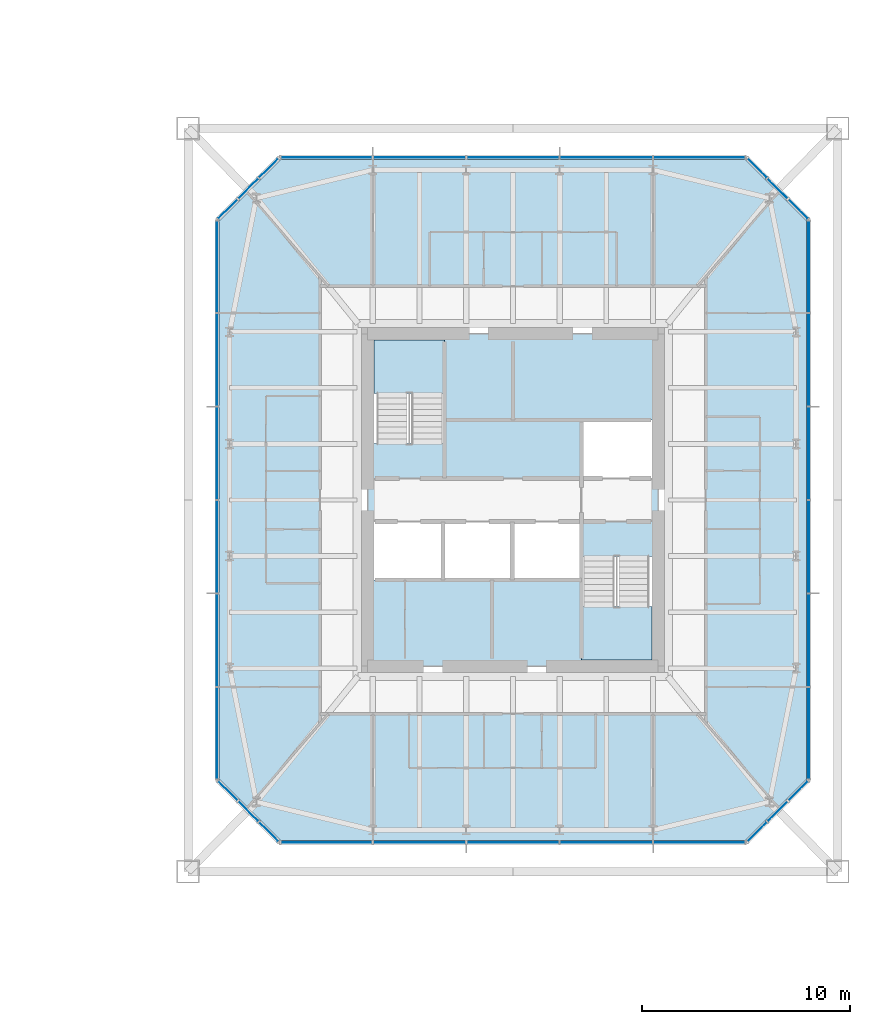
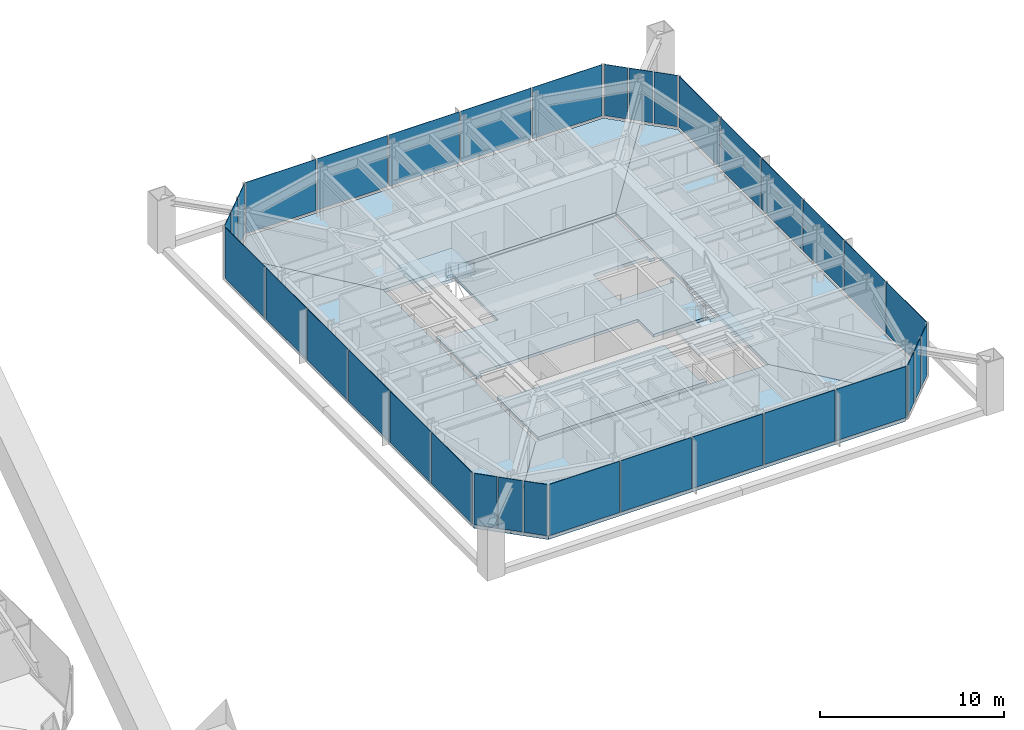
# One storey, part 13 of 26: 34 plates, 8 slabs, 10 elements without a shape of their own.
"""IFC4 building model written with IfcOpenShell, lengths in metres."""

from ifc_helpers import new_model, si_unit, direction, frame, origin, origin_2d, place, context, subcontext, project, spatial, polyline, rectangle, outline, extrude, material, layer, layer_set, constituent, constituent_set, type_object, element, aggregate, save


model = new_model("IFC4")

# Units and contexts
model_context = context("Model", 3, precision=1e-05, world=origin(), true_north=direction((0.0, 1.0)))
body_context = subcontext(model_context, "Body", "Model", "MODEL_VIEW")
ifc_project = project(units=[si_unit("LENGTHUNIT", "METRE"), si_unit("AREAUNIT", "SQUARE_METRE"), si_unit("VOLUMEUNIT", "CUBIC_METRE"), si_unit("PLANEANGLEUNIT", "RADIAN"), si_unit("MASSUNIT", "GRAM", prefix="KILO")], contexts=[model_context])

# Site, building, storey
site_placement = place(None, origin())
site = spatial("IfcSite", under=ifc_project, at=site_placement, CompositionType="ELEMENT")
building_placement = place(site_placement, origin())
building = spatial("IfcBuilding", under=site, at=building_placement, Name="Iwan Alto Co-Living Towers", CompositionType="ELEMENT")
storey_placement = place(building_placement, frame((0.0, 0.0, 115.5)))
storey = spatial("IfcBuildingStorey", under=building, at=storey_placement, Name="L31", CompositionType="ELEMENT", Elevation=115.5)

# Slabs
ifc_material_1 = material(Name="Concrete f'c 30 MPa", Category="concrete")
ifc_layer_1 = layer(ifc_material_1, 0.199951171875)
ifc_layer_set_1 = layer_set([ifc_layer_1], Name="CORE FLOOR SLAB 200")
slab_type_1 = type_object("IfcSlabType", Name="CORE FLOOR SLAB 200", PredefinedType="FLOOR", material=ifc_layer_set_1)
slab_1_placement = place(storey_placement, frame((0.0, 0.0, -0.199951171875)))
element("IfcSlab", 1, at=slab_1_placement, inside=storey, type_object=slab_type_1, Name="T2 core floor L31", PredefinedType="FLOOR", context=body_context, shape_type="SweptSolid", body=[
    extrude(outline(polyline([(70.0, -3.030029296875), (69.699951171875, -3.030029296875), (69.699951171875, -2.719970703125), (66.300048828125, -2.719970703125), (66.300048828125, -1.050048828125), (62.967041015625, -1.050048828125), (59.633056640625, -1.050048828125), (56.300048828125, -1.050048828125), (56.300048828125, -1.360107421875), (56.0, -1.360107421875), (56.0, 3.030029296875), (56.300048828125, 3.030029296875), (56.300048828125, 2.719970703125), (59.699951171875, 2.719970703125), (59.699951171875, 7.699951171875), (59.389892578125, 7.699951171875), (59.389892578125, 8.0), (70.0, 8.0), (70.0, 3.5400390625), (69.699951171875, 3.5400390625), (69.699951171875, 3.85009765625), (66.300048828125, 3.85009765625), (66.300048828125, 1.050048828125), (69.699951171875, 1.050048828125), (69.699951171875, 1.360107421875), (70.0, 1.360107421875), (70.0, -3.030029296875)])), origin(), (0.0, 0.0, 1.0), 0.199951171875),
])
slab_2_placement = place(storey_placement, frame((0.0, 0.0, -0.199951171875)))
element("IfcSlab", 2, at=slab_2_placement, inside=storey, type_object=slab_type_1, Name="T2 core floor L31", PredefinedType="FLOOR", context=body_context, shape_type="SweptSolid", body=[
    extrude(outline(polyline([(62.967041015625, -3.85009765625), (66.300048828125, -3.85009765625), (66.300048828125, -7.699951171875), (66.610107421875, -7.699951171875), (66.610107421875, -8.0), (56.0, -8.0), (56.0, -3.5400390625), (56.300048828125, -3.5400390625), (56.300048828125, -3.85009765625), (59.633056640625, -3.85009765625), (62.967041015625, -3.85009765625)])), origin(), (0.0, 0.0, 1.0), 0.199951171875),
])

# Curtain wall, plates
ifc_material_2 = material(Name="Bronze aluminium unitised frame", Category="aluminium")
curtain_wall_type_1 = type_object("IfcCurtainWallType", Name="CURTAIN WALL CW-C", PredefinedType="NOTDEFINED", material=ifc_material_2)
curtain_wall_1_placement = place(storey_placement, origin())
curtain_wall_1 = element("IfcCurtainWall", 3, at=curtain_wall_1_placement, inside=storey, type_object=curtain_wall_type_1, Name="T2 curtain wall S L31", PredefinedType="NOTDEFINED")
ifc_material_3 = material(Name="Bronze-tinted insulating glass", Category="glass")
ifc_layer_2 = layer(ifc_material_3, 0.031982421875)
ifc_layer_set_2 = layer_set([ifc_layer_2], Name="CW-C PANEL TINTED IGU 32")
plate_type_1 = type_object("IfcPlateType", Name="CW-C PANEL TINTED IGU 32", PredefinedType="CURTAIN_PANEL", material=ifc_layer_set_2)
plate_1_placement = place(storey_placement, frame((54.02001953125, -16.5, 0.10009765625), z_axis=(0.0, 0.0, 1.0), x_axis=(1.0, 0.0, 0.0)))
plate_1 = element("IfcPlate", 4, at=plate_1_placement, type_object=plate_type_1, Name="CW-C panel 1.1", PredefinedType="CURTAIN_PANEL", context=body_context, shape_type="SweptSolid", body=[
    extrude(rectangle(XDim=4.3798828125, YDim=0.031982421875, at=origin_2d()), origin(), (0.0, 0.0, 1.0), 3.39990234375),
])
plate_2_placement = place(storey_placement, frame((71.97998046875, -16.5, 0.10009765625), z_axis=(0.0, 0.0, 1.0), x_axis=(1.0, 0.0, 0.0)))
plate_2 = element("IfcPlate", 5, at=plate_2_placement, type_object=plate_type_1, Name="CW-C panel 5.1", PredefinedType="CURTAIN_PANEL", context=body_context, shape_type="SweptSolid", body=[
    extrude(rectangle(XDim=4.3798828125, YDim=0.031982421875, at=origin_2d()), origin(), (0.0, 0.0, 1.0), 3.39990234375),
])

curtain_wall_2_placement = place(storey_placement, origin())
curtain_wall_2 = element("IfcCurtainWall", 6, at=curtain_wall_2_placement, inside=storey, type_object=curtain_wall_type_1, Name="T2 curtain wall E L31", PredefinedType="NOTDEFINED")
plate_3_placement = place(storey_placement, frame((77.25, -11.22998046875, 0.10009765625), z_axis=(0.0, 0.0, 1.0), x_axis=(0.0, 1.0, 0.0)))
plate_3 = element("IfcPlate", 7, at=plate_3_placement, type_object=plate_type_1, Name="CW-C panel 1.1", PredefinedType="CURTAIN_PANEL", context=body_context, shape_type="SweptSolid", body=[
    extrude(rectangle(XDim=4.3798828125, YDim=0.031982421875, at=origin_2d()), origin(), (0.0, 0.0, 1.0), 3.39990234375),
])
plate_4_placement = place(storey_placement, frame((77.25, -6.75, 0.10009765625), z_axis=(0.0, 0.0, 1.0), x_axis=(0.0, 1.0, 0.0)))
plate_4 = element("IfcPlate", 8, at=plate_4_placement, type_object=plate_type_1, Name="CW-C panel 2.1", PredefinedType="CURTAIN_PANEL", context=body_context, shape_type="SweptSolid", body=[
    extrude(rectangle(XDim=4.419921875, YDim=0.031982421875, at=origin_2d()), origin(), (0.0, 0.0, 1.0), 3.39990234375),
])
plate_5_placement = place(storey_placement, frame((77.25, 6.75, 0.10009765625), z_axis=(0.0, 0.0, 1.0), x_axis=(0.0, 1.0, 0.0)))
plate_5 = element("IfcPlate", 9, at=plate_5_placement, type_object=plate_type_1, Name="CW-C panel 5.1", PredefinedType="CURTAIN_PANEL", context=body_context, shape_type="SweptSolid", body=[
    extrude(rectangle(XDim=4.419921875, YDim=0.031982421875, at=origin_2d()), origin(), (0.0, 0.0, 1.0), 3.39990234375),
])
plate_6_placement = place(storey_placement, frame((77.25, 11.22998046875, 0.10009765625), z_axis=(0.0, 0.0, 1.0), x_axis=(0.0, 1.0, 0.0)))
plate_6 = element("IfcPlate", 10, at=plate_6_placement, type_object=plate_type_1, Name="CW-C panel 6.1", PredefinedType="CURTAIN_PANEL", context=body_context, shape_type="SweptSolid", body=[
    extrude(rectangle(XDim=4.3798828125, YDim=0.031982421875, at=origin_2d()), origin(), (0.0, 0.0, 1.0), 3.39990234375),
])

curtain_wall_3_placement = place(storey_placement, origin())
curtain_wall_3 = element("IfcCurtainWall", 11, at=curtain_wall_3_placement, inside=storey, type_object=curtain_wall_type_1, Name="T2 curtain wall N L31", PredefinedType="NOTDEFINED")
plate_7_placement = place(storey_placement, frame((71.97998046875, 16.5, 0.10009765625), z_axis=(0.0, 0.0, 1.0), x_axis=(-1.0, 0.0, 0.0)))
plate_7 = element("IfcPlate", 12, at=plate_7_placement, type_object=plate_type_1, Name="CW-C panel 1.1", PredefinedType="CURTAIN_PANEL", context=body_context, shape_type="SweptSolid", body=[
    extrude(rectangle(XDim=4.3798828125, YDim=0.031982421875, at=origin_2d()), origin(), (0.0, 0.0, 1.0), 3.39990234375),
])
plate_8_placement = place(storey_placement, frame((54.02001953125, 16.5, 0.10009765625), z_axis=(0.0, 0.0, 1.0), x_axis=(-1.0, 0.0, 0.0)))
plate_8 = element("IfcPlate", 13, at=plate_8_placement, type_object=plate_type_1, Name="CW-C panel 5.1", PredefinedType="CURTAIN_PANEL", context=body_context, shape_type="SweptSolid", body=[
    extrude(rectangle(XDim=4.3798828125, YDim=0.031982421875, at=origin_2d()), origin(), (0.0, 0.0, 1.0), 3.39990234375),
])

curtain_wall_4_placement = place(storey_placement, origin())
curtain_wall_4 = element("IfcCurtainWall", 14, at=curtain_wall_4_placement, inside=storey, type_object=curtain_wall_type_1, Name="T2 curtain wall W L31", PredefinedType="NOTDEFINED")
plate_9_placement = place(storey_placement, frame((48.75, 11.22998046875, 0.10009765625), z_axis=(0.0, 0.0, 1.0), x_axis=(0.0, -1.0, 0.0)))
plate_9 = element("IfcPlate", 15, at=plate_9_placement, type_object=plate_type_1, Name="CW-C panel 1.1", PredefinedType="CURTAIN_PANEL", context=body_context, shape_type="SweptSolid", body=[
    extrude(rectangle(XDim=4.3798828125, YDim=0.031982421875, at=origin_2d()), origin(), (0.0, 0.0, 1.0), 3.39990234375),
])
plate_10_placement = place(storey_placement, frame((48.75, 6.75, 0.10009765625), z_axis=(0.0, 0.0, 1.0), x_axis=(0.0, -1.0, 0.0)))
plate_10 = element("IfcPlate", 16, at=plate_10_placement, type_object=plate_type_1, Name="CW-C panel 2.1", PredefinedType="CURTAIN_PANEL", context=body_context, shape_type="SweptSolid", body=[
    extrude(rectangle(XDim=4.419921875, YDim=0.031982421875, at=origin_2d()), origin(), (0.0, 0.0, 1.0), 3.39990234375),
])
plate_11_placement = place(storey_placement, frame((48.75, -6.75, 0.10009765625), z_axis=(0.0, 0.0, 1.0), x_axis=(0.0, -1.0, 0.0)))
plate_11 = element("IfcPlate", 17, at=plate_11_placement, type_object=plate_type_1, Name="CW-C panel 5.1", PredefinedType="CURTAIN_PANEL", context=body_context, shape_type="SweptSolid", body=[
    extrude(rectangle(XDim=4.419921875, YDim=0.031982421875, at=origin_2d()), origin(), (0.0, 0.0, 1.0), 3.39990234375),
])
plate_12_placement = place(storey_placement, frame((48.75, -11.22998046875, 0.10009765625), z_axis=(0.0, 0.0, 1.0), x_axis=(0.0, -1.0, 0.0)))
plate_12 = element("IfcPlate", 18, at=plate_12_placement, type_object=plate_type_1, Name="CW-C panel 6.1", PredefinedType="CURTAIN_PANEL", context=body_context, shape_type="SweptSolid", body=[
    extrude(rectangle(XDim=4.3798828125, YDim=0.031982421875, at=origin_2d()), origin(), (0.0, 0.0, 1.0), 3.39990234375),
])

# Plate
ifc_material_4 = material(Name="Insulated bronze aluminium spandrel panel", Category="aluminium")
ifc_layer_3 = layer(ifc_material_4, 0.031982421875)
ifc_layer_set_3 = layer_set([ifc_layer_3], Name="CW-C SPANDREL PANEL 32")
plate_type_2 = type_object("IfcPlateType", Name="CW-C SPANDREL PANEL 32", PredefinedType="CURTAIN_PANEL", material=ifc_layer_set_3)
plate_13_placement = place(storey_placement, frame((58.5, -16.5, 0.10009765625), z_axis=(0.0, 0.0, 1.0), x_axis=(1.0, 0.0, 0.0)))
plate_13 = element("IfcPlate", 19, at=plate_13_placement, type_object=plate_type_2, Name="CW-C spandrel panel 2.1 (braced bay)", PredefinedType="CURTAIN_PANEL", context=body_context, shape_type="SweptSolid", body=[
    extrude(rectangle(XDim=4.419921875, YDim=0.031982421875, at=origin_2d()), origin(), (0.0, 0.0, 1.0), 3.39990234375),
])

plate_14_placement = place(storey_placement, frame((63.0, -16.5, 0.10009765625), z_axis=(0.0, 0.0, 1.0), x_axis=(1.0, 0.0, 0.0)))
plate_14 = element("IfcPlate", 20, at=plate_14_placement, type_object=plate_type_2, Name="CW-C spandrel panel 3.1 (braced bay)", PredefinedType="CURTAIN_PANEL", context=body_context, shape_type="SweptSolid", body=[
    extrude(rectangle(XDim=4.419921875, YDim=0.031982421875, at=origin_2d()), origin(), (0.0, 0.0, 1.0), 3.39990234375),
])

plate_15_placement = place(storey_placement, frame((67.5, -16.5, 0.10009765625), z_axis=(0.0, 0.0, 1.0), x_axis=(1.0, 0.0, 0.0)))
plate_15 = element("IfcPlate", 21, at=plate_15_placement, type_object=plate_type_2, Name="CW-C spandrel panel 4.1 (braced bay)", PredefinedType="CURTAIN_PANEL", context=body_context, shape_type="SweptSolid", body=[
    extrude(rectangle(XDim=4.419921875, YDim=0.031982421875, at=origin_2d()), origin(), (0.0, 0.0, 1.0), 3.39990234375),
])

aggregate(curtain_wall_1, [plate_1, plate_2, plate_13, plate_14, plate_15])

plate_16_placement = place(storey_placement, frame((77.25, -2.25, 0.10009765625), z_axis=(0.0, 0.0, 1.0), x_axis=(0.0, 1.0, 0.0)))
plate_16 = element("IfcPlate", 22, at=plate_16_placement, type_object=plate_type_2, Name="CW-C spandrel panel 3.1 (braced bay)", PredefinedType="CURTAIN_PANEL", context=body_context, shape_type="SweptSolid", body=[
    extrude(rectangle(XDim=4.419921875, YDim=0.031982421875, at=origin_2d()), origin(), (0.0, 0.0, 1.0), 3.39990234375),
])

plate_17_placement = place(storey_placement, frame((77.25, 2.25, 0.10009765625), z_axis=(0.0, 0.0, 1.0), x_axis=(0.0, 1.0, 0.0)))
plate_17 = element("IfcPlate", 23, at=plate_17_placement, type_object=plate_type_2, Name="CW-C spandrel panel 4.1 (braced bay)", PredefinedType="CURTAIN_PANEL", context=body_context, shape_type="SweptSolid", body=[
    extrude(rectangle(XDim=4.419921875, YDim=0.031982421875, at=origin_2d()), origin(), (0.0, 0.0, 1.0), 3.39990234375),
])

aggregate(curtain_wall_2, [plate_3, plate_4, plate_5, plate_6, plate_16, plate_17])

plate_18_placement = place(storey_placement, frame((67.5, 16.5, 0.10009765625), z_axis=(0.0, 0.0, 1.0), x_axis=(-1.0, 0.0, 0.0)))
plate_18 = element("IfcPlate", 24, at=plate_18_placement, type_object=plate_type_2, Name="CW-C spandrel panel 2.1 (braced bay)", PredefinedType="CURTAIN_PANEL", context=body_context, shape_type="SweptSolid", body=[
    extrude(rectangle(XDim=4.419921875, YDim=0.031982421875, at=origin_2d()), origin(), (0.0, 0.0, 1.0), 3.39990234375),
])

plate_19_placement = place(storey_placement, frame((63.0, 16.5, 0.10009765625), z_axis=(0.0, 0.0, 1.0), x_axis=(-1.0, 0.0, 0.0)))
plate_19 = element("IfcPlate", 25, at=plate_19_placement, type_object=plate_type_2, Name="CW-C spandrel panel 3.1 (braced bay)", PredefinedType="CURTAIN_PANEL", context=body_context, shape_type="SweptSolid", body=[
    extrude(rectangle(XDim=4.419921875, YDim=0.031982421875, at=origin_2d()), origin(), (0.0, 0.0, 1.0), 3.39990234375),
])

plate_20_placement = place(storey_placement, frame((58.5, 16.5, 0.10009765625), z_axis=(0.0, 0.0, 1.0), x_axis=(-1.0, 0.0, 0.0)))
plate_20 = element("IfcPlate", 26, at=plate_20_placement, type_object=plate_type_2, Name="CW-C spandrel panel 4.1 (braced bay)", PredefinedType="CURTAIN_PANEL", context=body_context, shape_type="SweptSolid", body=[
    extrude(rectangle(XDim=4.419921875, YDim=0.031982421875, at=origin_2d()), origin(), (0.0, 0.0, 1.0), 3.39990234375),
])

aggregate(curtain_wall_3, [plate_7, plate_8, plate_18, plate_19, plate_20])

plate_21_placement = place(storey_placement, frame((48.75, 2.25, 0.10009765625), z_axis=(0.0, 0.0, 1.0), x_axis=(0.0, -1.0, 0.0)))
plate_21 = element("IfcPlate", 27, at=plate_21_placement, type_object=plate_type_2, Name="CW-C spandrel panel 3.1 (braced bay)", PredefinedType="CURTAIN_PANEL", context=body_context, shape_type="SweptSolid", body=[
    extrude(rectangle(XDim=4.419921875, YDim=0.031982421875, at=origin_2d()), origin(), (0.0, 0.0, 1.0), 3.39990234375),
])

plate_22_placement = place(storey_placement, frame((48.75, -2.25, 0.10009765625), z_axis=(0.0, 0.0, 1.0), x_axis=(0.0, -1.0, 0.0)))
plate_22 = element("IfcPlate", 28, at=plate_22_placement, type_object=plate_type_2, Name="CW-C spandrel panel 4.1 (braced bay)", PredefinedType="CURTAIN_PANEL", context=body_context, shape_type="SweptSolid", body=[
    extrude(rectangle(XDim=4.419921875, YDim=0.031982421875, at=origin_2d()), origin(), (0.0, 0.0, 1.0), 3.39990234375),
])

aggregate(curtain_wall_4, [plate_9, plate_10, plate_11, plate_12, plate_21, plate_22])

# Curtain wall, plates
ifc_material_5 = material(Name="Bronze aluminium unitised frame", Category="aluminium")
curtain_wall_type_2 = type_object("IfcCurtainWallType", Name="CURTAIN WALL CW-D", PredefinedType="NOTDEFINED", material=ifc_material_5)
curtain_wall_5_placement = place(storey_placement, origin())
curtain_wall_5 = element("IfcCurtainWall", 29, at=curtain_wall_5_placement, inside=storey, type_object=curtain_wall_type_2, Name="T2 chamfer curtain wall SE L31", PredefinedType="NOTDEFINED")
ifc_material_6 = material(Name="Bronze-tinted insulating glass", Category="glass")
ifc_layer_4 = layer(ifc_material_6, 0.031982421875)
ifc_layer_set_4 = layer_set([ifc_layer_4], Name="CW-D PANEL TINTED IGU 32")
plate_type_3 = type_object("IfcPlateType", Name="CW-D PANEL TINTED IGU 32", PredefinedType="CURTAIN_PANEL", material=ifc_layer_set_4)
plate_23_placement = place(storey_placement, frame((74.76416015625, -15.98583984375, 0.10009765625), z_axis=(0.0, 0.0, 1.0), x_axis=(0.707106781187, 0.707106781187, 0.0)))
plate_23 = element("IfcPlate", 30, at=plate_23_placement, type_object=plate_type_3, Name="CW-D panel 1.1", PredefinedType="CURTAIN_PANEL", context=body_context, shape_type="SweptSolid", body=[
    extrude(rectangle(XDim=1.294189453125, YDim=0.031982421875, at=origin_2d()), origin(), (0.0, 0.0, 1.0), 3.39990234375),
])
plate_24_placement = place(storey_placement, frame((75.75, -15.0, 0.10009765625), z_axis=(0.0, 0.0, 1.0), x_axis=(0.707106781187, 0.707106781187, 0.0)))
plate_24 = element("IfcPlate", 31, at=plate_24_placement, type_object=plate_type_3, Name="CW-D panel 2.1", PredefinedType="CURTAIN_PANEL", context=body_context, shape_type="SweptSolid", body=[
    extrude(rectangle(XDim=1.334228515625, YDim=0.031982421875, at=origin_2d()), origin(), (0.0, 0.0, 1.0), 3.39990234375),
])
plate_25_placement = place(storey_placement, frame((76.73583984375, -14.01416015625, 0.10009765625), z_axis=(0.0, 0.0, 1.0), x_axis=(0.707106781187, 0.707106781187, 0.0)))
plate_25 = element("IfcPlate", 32, at=plate_25_placement, type_object=plate_type_3, Name="CW-D panel 3.1", PredefinedType="CURTAIN_PANEL", context=body_context, shape_type="SweptSolid", body=[
    extrude(rectangle(XDim=1.294189453125, YDim=0.031982421875, at=origin_2d()), origin(), (0.0, 0.0, 1.0), 3.39990234375),
])
aggregate(curtain_wall_5, [plate_23, plate_24, plate_25])

curtain_wall_6_placement = place(storey_placement, origin())
curtain_wall_6 = element("IfcCurtainWall", 33, at=curtain_wall_6_placement, inside=storey, type_object=curtain_wall_type_2, Name="T2 chamfer curtain wall NE L31", PredefinedType="NOTDEFINED")
plate_26_placement = place(storey_placement, frame((76.73583984375, 14.01416015625, 0.10009765625), z_axis=(0.0, 0.0, 1.0), x_axis=(-0.707106781187, 0.707106781187, 0.0)))
plate_26 = element("IfcPlate", 34, at=plate_26_placement, type_object=plate_type_3, Name="CW-D panel 1.1", PredefinedType="CURTAIN_PANEL", context=body_context, shape_type="SweptSolid", body=[
    extrude(rectangle(XDim=1.294189453125, YDim=0.031982421875, at=origin_2d()), origin(), (0.0, 0.0, 1.0), 3.39990234375),
])
plate_27_placement = place(storey_placement, frame((75.75, 15.0, 0.10009765625), z_axis=(0.0, 0.0, 1.0), x_axis=(-0.707106781187, 0.707106781187, 0.0)))
plate_27 = element("IfcPlate", 35, at=plate_27_placement, type_object=plate_type_3, Name="CW-D panel 2.1", PredefinedType="CURTAIN_PANEL", context=body_context, shape_type="SweptSolid", body=[
    extrude(rectangle(XDim=1.334228515625, YDim=0.031982421875, at=origin_2d()), origin(), (0.0, 0.0, 1.0), 3.39990234375),
])
plate_28_placement = place(storey_placement, frame((74.76416015625, 15.98583984375, 0.10009765625), z_axis=(0.0, 0.0, 1.0), x_axis=(-0.707106781187, 0.707106781187, 0.0)))
plate_28 = element("IfcPlate", 36, at=plate_28_placement, type_object=plate_type_3, Name="CW-D panel 3.1", PredefinedType="CURTAIN_PANEL", context=body_context, shape_type="SweptSolid", body=[
    extrude(rectangle(XDim=1.294189453125, YDim=0.031982421875, at=origin_2d()), origin(), (0.0, 0.0, 1.0), 3.39990234375),
])
aggregate(curtain_wall_6, [plate_26, plate_27, plate_28])

curtain_wall_7_placement = place(storey_placement, origin())
curtain_wall_7 = element("IfcCurtainWall", 37, at=curtain_wall_7_placement, inside=storey, type_object=curtain_wall_type_2, Name="T2 chamfer curtain wall NW L31", PredefinedType="NOTDEFINED")
plate_29_placement = place(storey_placement, frame((51.23583984375, 15.98583984375, 0.10009765625), z_axis=(0.0, 0.0, 1.0), x_axis=(-0.707106781187, -0.707106781187, 0.0)))
plate_29 = element("IfcPlate", 38, at=plate_29_placement, type_object=plate_type_3, Name="CW-D panel 1.1", PredefinedType="CURTAIN_PANEL", context=body_context, shape_type="SweptSolid", body=[
    extrude(rectangle(XDim=1.294189453125, YDim=0.031982421875, at=origin_2d()), origin(), (0.0, 0.0, 1.0), 3.39990234375),
])
plate_30_placement = place(storey_placement, frame((50.25, 15.0, 0.10009765625), z_axis=(0.0, 0.0, 1.0), x_axis=(-0.707106781187, -0.707106781187, 0.0)))
plate_30 = element("IfcPlate", 39, at=plate_30_placement, type_object=plate_type_3, Name="CW-D panel 2.1", PredefinedType="CURTAIN_PANEL", context=body_context, shape_type="SweptSolid", body=[
    extrude(rectangle(XDim=1.334228515625, YDim=0.031982421875, at=origin_2d()), origin(), (0.0, 0.0, 1.0), 3.39990234375),
])
plate_31_placement = place(storey_placement, frame((49.26416015625, 14.01416015625, 0.10009765625), z_axis=(0.0, 0.0, 1.0), x_axis=(-0.707106781187, -0.707106781187, 0.0)))
plate_31 = element("IfcPlate", 40, at=plate_31_placement, type_object=plate_type_3, Name="CW-D panel 3.1", PredefinedType="CURTAIN_PANEL", context=body_context, shape_type="SweptSolid", body=[
    extrude(rectangle(XDim=1.294189453125, YDim=0.031982421875, at=origin_2d()), origin(), (0.0, 0.0, 1.0), 3.39990234375),
])
aggregate(curtain_wall_7, [plate_29, plate_30, plate_31])

curtain_wall_8_placement = place(storey_placement, origin())
curtain_wall_8 = element("IfcCurtainWall", 41, at=curtain_wall_8_placement, inside=storey, type_object=curtain_wall_type_2, Name="T2 chamfer curtain wall SW L31", PredefinedType="NOTDEFINED")
plate_32_placement = place(storey_placement, frame((49.26416015625, -14.01416015625, 0.10009765625), z_axis=(0.0, 0.0, 1.0), x_axis=(0.707106781187, -0.707106781187, 0.0)))
plate_32 = element("IfcPlate", 42, at=plate_32_placement, type_object=plate_type_3, Name="CW-D panel 1.1", PredefinedType="CURTAIN_PANEL", context=body_context, shape_type="SweptSolid", body=[
    extrude(rectangle(XDim=1.294189453125, YDim=0.031982421875, at=origin_2d()), origin(), (0.0, 0.0, 1.0), 3.39990234375),
])
plate_33_placement = place(storey_placement, frame((50.25, -15.0, 0.10009765625), z_axis=(0.0, 0.0, 1.0), x_axis=(0.707106781187, -0.707106781187, 0.0)))
plate_33 = element("IfcPlate", 43, at=plate_33_placement, type_object=plate_type_3, Name="CW-D panel 2.1", PredefinedType="CURTAIN_PANEL", context=body_context, shape_type="SweptSolid", body=[
    extrude(rectangle(XDim=1.334228515625, YDim=0.031982421875, at=origin_2d()), origin(), (0.0, 0.0, 1.0), 3.39990234375),
])
plate_34_placement = place(storey_placement, frame((51.23583984375, -15.98583984375, 0.10009765625), z_axis=(0.0, 0.0, 1.0), x_axis=(0.707106781187, -0.707106781187, 0.0)))
plate_34 = element("IfcPlate", 44, at=plate_34_placement, type_object=plate_type_3, Name="CW-D panel 3.1", PredefinedType="CURTAIN_PANEL", context=body_context, shape_type="SweptSolid", body=[
    extrude(rectangle(XDim=1.294189453125, YDim=0.031982421875, at=origin_2d()), origin(), (0.0, 0.0, 1.0), 3.39990234375),
])
aggregate(curtain_wall_8, [plate_32, plate_33, plate_34])

# Stair, slab
ifc_material_7 = material(Name="Steel ASTM A36", Category="steel")
ifc_constituent_1 = constituent(ifc_material_7, Name="Stringers", Category="LoadBearing")
ifc_material_8 = material(Name="Concrete f'c 30 MPa", Category="concrete")
ifc_constituent_2 = constituent(ifc_material_8, Name="Tread fill", Category="Finish")
ifc_constituent_set = constituent_set(constituents=[ifc_constituent_1, ifc_constituent_2], Name="STAIR 3500 TWO-FLIGHT T2 CORE")
stair_type = type_object("IfcStairType", Name="STAIR 3500 TWO-FLIGHT T2 CORE", PredefinedType="HALF_TURN_STAIR", material=ifc_constituent_set)
stair_1_placement = place(storey_placement, origin())
stair_1 = element("IfcStair", 45, at=stair_1_placement, inside=storey, type_object=stair_type, Name="Stair T2-S1 L31 to L32", PredefinedType="HALF_TURN_STAIR")
ifc_material_9 = material(Name="Concrete f'c 30 MPa", Category="concrete")
ifc_layer_5 = layer(ifc_material_9, 0.199951171875)
ifc_layer_set_5 = layer_set([ifc_layer_5], Name="STAIR LANDING 200")
slab_type_2 = type_object("IfcSlabType", Name="STAIR LANDING 200", PredefinedType="LANDING", material=ifc_layer_set_5)
slab_3_placement = place(storey_placement, frame((0.0, 0.0, 1.550048828125)))
slab_3 = element("IfcSlab", 46, at=slab_3_placement, type_object=slab_type_2, Name="T2-S1 landing 1", PredefinedType="LANDING", context=body_context, shape_type="SweptSolid", body=[
    extrude(outline(polyline([(56.300048828125, 5.139892578125), (56.300048828125, 7.699951171875), (59.699951171875, 7.699951171875), (59.699951171875, 5.139892578125), (56.300048828125, 5.139892578125)])), origin(), (0.0, 0.0, 1.0), 0.199951171875),
])
aggregate(stair_1, [slab_3])

stair_2_placement = place(storey_placement, origin())
stair_2 = element("IfcStair", 47, at=stair_2_placement, inside=storey, type_object=stair_type, Name="Stair T2-S2 L31 to L32", PredefinedType="HALF_TURN_STAIR")
slab_4_placement = place(storey_placement, frame((0.0, 0.0, 1.550048828125)))
slab_4 = element("IfcSlab", 48, at=slab_4_placement, type_object=slab_type_2, Name="T2-S2 landing 1", PredefinedType="LANDING", context=body_context, shape_type="SweptSolid", body=[
    extrude(outline(polyline([(66.300048828125, -5.139892578125), (66.300048828125, -7.699951171875), (69.699951171875, -7.699951171875), (69.699951171875, -5.139892578125), (66.300048828125, -5.139892578125)])), origin(), (0.0, 0.0, 1.0), 0.199951171875),
])
aggregate(stair_2, [slab_4])

# Slabs
ifc_material_10 = material(Name="Concrete f'c 30 MPa", Category="concrete")
ifc_layer_6 = layer(ifc_material_10, 0.22998046875)
ifc_layer_set_6 = layer_set([ifc_layer_6], Name="T2 FLOOR SLAB 230")
slab_type_3 = type_object("IfcSlabType", Name="T2 FLOOR SLAB 230", PredefinedType="FLOOR", material=ifc_layer_set_6)
slab_5_placement = place(storey_placement, frame((0.0, 0.0, -0.22998046875)))
element("IfcSlab", 49, at=slab_5_placement, inside=storey, type_object=slab_type_3, Name="T2 floor slab L31 S pour", PredefinedType="FLOOR", context=body_context, shape_type="SweptSolid", body=[
    extrude(outline(polyline([(74.19140625, -16.39990234375), (51.80859375, -16.39990234375), (50.330810546875, -14.92236328125), (55.699951171875, -8.300048828125), (70.300048828125, -8.300048828125), (75.669189453125, -14.92236328125), (74.19140625, -16.39990234375)])), origin(), (0.0, 0.0, 1.0), 0.22998046875),
])
slab_6_placement = place(storey_placement, frame((0.0, 0.0, -0.22998046875)))
element("IfcSlab", 50, at=slab_6_placement, inside=storey, type_object=slab_type_3, Name="T2 floor slab L31 E pour", PredefinedType="FLOOR", context=body_context, shape_type="SweptSolid", body=[
    extrude(outline(polyline([(77.14990234375, 13.44140625), (77.14990234375, -13.44140625), (75.669189453125, -14.92236328125), (70.300048828125, -8.300048828125), (70.300048828125, 8.300048828125), (75.669189453125, 14.92236328125), (77.14990234375, 13.44140625)])), origin(), (0.0, 0.0, 1.0), 0.22998046875),
])
slab_7_placement = place(storey_placement, frame((0.0, 0.0, -0.22998046875)))
element("IfcSlab", 51, at=slab_7_placement, inside=storey, type_object=slab_type_3, Name="T2 floor slab L31 N pour", PredefinedType="FLOOR", context=body_context, shape_type="SweptSolid", body=[
    extrude(outline(polyline([(51.80859375, 16.39990234375), (74.19140625, 16.39990234375), (75.669189453125, 14.92236328125), (70.300048828125, 8.300048828125), (55.699951171875, 8.300048828125), (50.330810546875, 14.92236328125), (51.80859375, 16.39990234375)])), origin(), (0.0, 0.0, 1.0), 0.22998046875),
])
slab_8_placement = place(storey_placement, frame((0.0, 0.0, -0.22998046875)))
element("IfcSlab", 52, at=slab_8_placement, inside=storey, type_object=slab_type_3, Name="T2 floor slab L31 W pour", PredefinedType="FLOOR", context=body_context, shape_type="SweptSolid", body=[
    extrude(outline(polyline([(48.85009765625, 13.44140625), (50.330810546875, 14.92236328125), (55.699951171875, 8.300048828125), (55.699951171875, -8.300048828125), (50.330810546875, -14.92236328125), (48.85009765625, -13.44140625), (48.85009765625, 13.44140625)])), origin(), (0.0, 0.0, 1.0), 0.22998046875),
])

save(model, "model.ifc")
